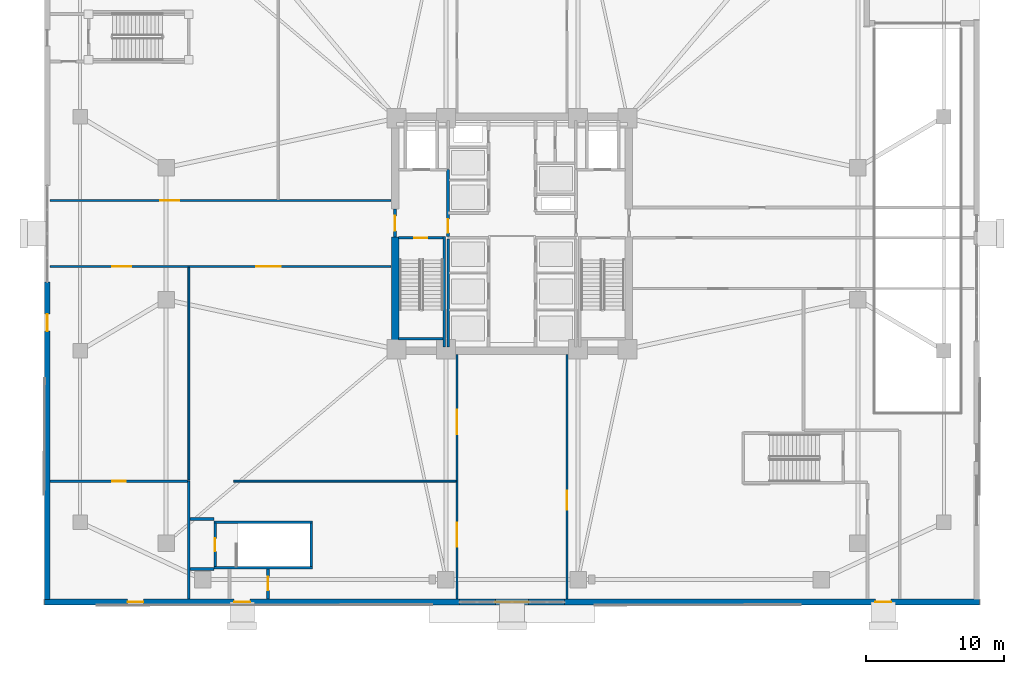
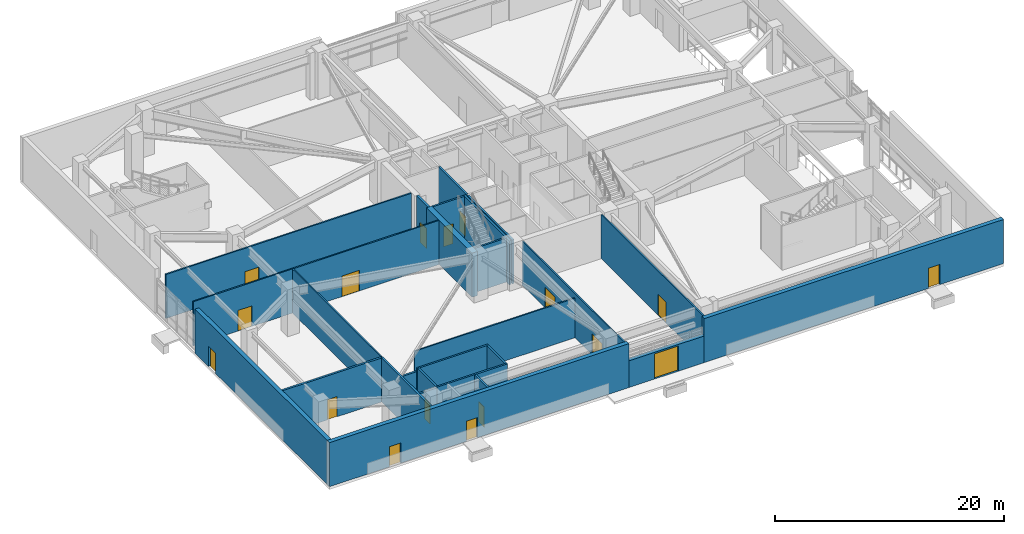
# One storey, part 9 of 21: 26 walls, 17 doors, 17 openings.
"""IFC4 building model written with IfcOpenShell, lengths in metres."""

from ifc_helpers import new_model, si_unit, direction, frame, frame_2d, origin, place, context, subcontext, project, spatial, rectangle, extrude, material, layer, layer_set, type_object, element, fill, save


model = new_model("IFC4")

# Units and contexts
model_context = context("Model", 3, precision=1e-05, world=origin(), true_north=direction((0.0, 1.0)))
body_context = subcontext(model_context, "Body", "Model", "MODEL_VIEW")
ifc_project = project(units=[si_unit("LENGTHUNIT", "METRE"), si_unit("AREAUNIT", "SQUARE_METRE"), si_unit("VOLUMEUNIT", "CUBIC_METRE"), si_unit("PLANEANGLEUNIT", "RADIAN"), si_unit("MASSUNIT", "GRAM", prefix="KILO")], contexts=[model_context])

# Site, building, storey
site_placement = place(None, origin())
site = spatial("IfcSite", under=ifc_project, at=site_placement, CompositionType="ELEMENT")
building_placement = place(site_placement, origin())
building = spatial("IfcBuilding", under=site, at=building_placement, Name="Cairnveth Concourse Tower", CompositionType="ELEMENT")
storey_placement = place(building_placement, origin())
storey = spatial("IfcBuildingStorey", under=building, at=storey_placement, Name="L00", CompositionType="ELEMENT", Elevation=0.0)

# Walls
ifc_material_1 = material(Name="Concrete N80 (80 MPa)", Category="concrete")
ifc_layer_1 = layer(ifc_material_1, 0.550048828125)
ifc_layer_set_1 = layer_set([ifc_layer_1], Name="Concrete N80 (80 MPa)")
wall_type_1 = type_object("IfcWallType", Name="CORE SHEAR WALL 550", PredefinedType="SHEAR", material=ifc_layer_set_1)
wall_1_placement = place(storey_placement, frame((43.5, 30.764892578125, 0.0), z_axis=(0.0, 0.0, 1.0), x_axis=(0.0, 1.0, 0.0)))
element("IfcWall", 1, at=wall_1_placement, inside=storey, type_object=wall_type_1, Name="Core West Shear Wall S L00", PredefinedType="SHEAR", context=body_context, shape_type="SweptSolid", body=[
    extrude(rectangle(XDim=7.985107421875, YDim=0.550048828125, at=frame_2d((3.99267578125, 0.0))), origin(), (0.0, 0.0, 1.0), 4.699951171875),
])
ifc_material_2 = material(Name="Concrete N50 (50 MPa)", Category="concrete")
ifc_layer_2 = layer(ifc_material_2, 0.179931640625)
ifc_layer_set_2 = layer_set([ifc_layer_2], Name="Concrete N50 (50 MPa)")
wall_type_2 = type_object("IfcWallType", Name="FIRE SHAFT WALL 180", PredefinedType="SOLIDWALL", material=ifc_layer_set_2)
wall_2_placement = place(storey_placement, frame((47.35009765625, 30.760009765625, 0.0), z_axis=(0.0, 0.0, 1.0), x_axis=(0.0, 1.0, 0.0)))
element("IfcWall", 2, at=wall_2_placement, inside=storey, type_object=wall_type_2, Name="Interior Wall IW-L00-025", PredefinedType="SOLIDWALL", context=body_context, shape_type="SweptSolid", body=[
    extrude(rectangle(XDim=7.85498046875, YDim=0.179931640625, at=frame_2d((3.927490234375, 0.0))), origin(), (0.0, 0.0, 1.0), 4.699951171875),
])

# Wall, opening, door
wall_3_placement = place(storey_placement, frame((43.764892578125, 38.68994140625, 0.0), z_axis=(0.0, 0.0, 1.0), x_axis=(1.0, 0.0, 0.0)))
wall_3 = element("IfcWall", 3, at=wall_3_placement, inside=storey, type_object=wall_type_2, Name="Stair ST-1 Shaft Wall NEAR L00", PredefinedType="SOLIDWALL", context=body_context, shape_type="SweptSolid", body=[
    extrude(rectangle(XDim=3.230224609375, YDim=0.179931640625, at=frame_2d((1.615234375, 0.0))), origin(), (0.0, 0.0, 1.0), 4.699951171875),
])
opening_1_placement = place(wall_3_placement, frame((1.139892578125, 0.0, 0.0)))
opening_1 = element("IfcOpeningElement", 4, at=opening_1_placement, cuts=wall_3, Name="Opening ID12", PredefinedType="OPENING", context=body_context, shape_type="SweptSolid", body=[
    extrude(rectangle(XDim=0.949951171875, YDim=2.14990234375, at=frame_2d((0.47509765625, 1.074951171875))), frame((0.0, 0.099853515625, 0.0), z_axis=(0.0, -1.0, 0.0), x_axis=(1.0, 0.0, 0.0)), (0.0, 0.0, 1.0), 0.199951171875),
])
ifc_material_3 = material(Name="Steel Grade 350", Category="steel")
door_type_1 = type_object("IfcDoorType", Name="FIRE STAIR DOOR 950X2150", OperationType="NOTDEFINED", PredefinedType="DOOR", material=ifc_material_3)
door_1_placement = place(opening_1_placement, origin())
door_1 = element("IfcDoor", 5, at=door_1_placement, inside=storey, type_object=door_type_1, Name="Stair ST-1 Fire Door L00", OperationType="SINGLE_SWING_LEFT", OverallHeight=2.14990234375, OverallWidth=0.949951171875, PredefinedType="DOOR", context=body_context, shape_type="SweptSolid", body=[
    extrude(rectangle(XDim=0.949951171875, YDim=2.14990234375, at=frame_2d((0.47509765625, 1.074951171875))), frame((0.0, 0.02490234375, 0.0), z_axis=(0.0, -1.0, 0.0), x_axis=(1.0, 0.0, 0.0)), (0.0, 0.0, 1.0), 0.050048828125),
])
fill(opening_1, door_1)

# Walls
wall_4_placement = place(storey_placement, frame((43.764892578125, 31.360107421875, 0.0), z_axis=(0.0, 0.0, 1.0), x_axis=(1.0, 0.0, 0.0)))
element("IfcWall", 6, at=wall_4_placement, inside=storey, type_object=wall_type_2, Name="Stair ST-1 Shaft Wall FAR L00", PredefinedType="SOLIDWALL", context=body_context, shape_type="SweptSolid", body=[
    extrude(rectangle(XDim=3.230224609375, YDim=0.179931640625, at=frame_2d((1.615234375, 0.0))), origin(), (0.0, 0.0, 1.0), 4.699951171875),
])
wall_5_placement = place(storey_placement, frame((47.070068359375, 38.780029296875, 0.0), z_axis=(0.0, 0.0, 1.0), x_axis=(0.0, -1.0, 0.0)))
element("IfcWall", 7, at=wall_5_placement, inside=storey, type_object=wall_type_2, Name="Stair ST-1 Shaft Wall RGHT L00", PredefinedType="SOLIDWALL", context=body_context, shape_type="SweptSolid", body=[
    extrude(rectangle(XDim=8.01708984375, YDim=0.179931640625, at=frame_2d((4.008544921875, 0.0))), origin(), (0.0, 0.0, 1.0), 4.699951171875),
])

# Wall, opening, door
wall_6_placement = place(storey_placement, frame((30.409912109375, 14.784912109375, 0.0), z_axis=(0.0, 0.0, 1.0), x_axis=(0.0, 1.0, 0.0)))
wall_6 = element("IfcWall", 8, at=wall_6_placement, inside=storey, type_object=wall_type_2, Name="Stair ST-B1 Shaft Wall NEAR L00", PredefinedType="SOLIDWALL", context=body_context, shape_type="SweptSolid", body=[
    extrude(rectangle(XDim=3.170166015625, YDim=0.179931640625, at=frame_2d((1.5849609375, 0.0))), origin(), (0.0, 0.0, 1.0), 4.699951171875),
])
opening_2_placement = place(wall_6_placement, frame((1.110107421875, 0.0, 0.0)))
opening_2 = element("IfcOpeningElement", 9, at=opening_2_placement, cuts=wall_6, Name="Opening ID12", PredefinedType="OPENING", context=body_context, shape_type="SweptSolid", body=[
    extrude(rectangle(XDim=0.949951171875, YDim=2.14990234375, at=frame_2d((0.47509765625, 1.074951171875))), frame((0.0, 0.099853515625, 0.0), z_axis=(0.0, -1.0, 0.0), x_axis=(1.0, 0.0, 0.0)), (0.0, 0.0, 1.0), 0.199951171875),
])
door_2_placement = place(opening_2_placement, origin())
door_2 = element("IfcDoor", 10, at=door_2_placement, inside=storey, type_object=door_type_1, Name="Stair ST-B1 Fire Door L00", OperationType="SINGLE_SWING_RIGHT", OverallHeight=2.14990234375, OverallWidth=0.949951171875, PredefinedType="DOOR", context=body_context, shape_type="SweptSolid", body=[
    extrude(rectangle(XDim=0.949951171875, YDim=2.14990234375, at=frame_2d((0.47509765625, 1.074951171875))), frame((0.0, 0.02490234375, 0.0), z_axis=(0.0, -1.0, 0.0), x_axis=(1.0, 0.0, 0.0)), (0.0, 0.0, 1.0), 0.050048828125),
])
fill(opening_2, door_2)

# Walls
wall_7_placement = place(storey_placement, frame((37.389892578125, 14.784912109375, 0.0), z_axis=(0.0, 0.0, 1.0), x_axis=(0.0, 1.0, 0.0)))
element("IfcWall", 11, at=wall_7_placement, inside=storey, type_object=wall_type_2, Name="Stair ST-B1 Shaft Wall FAR L00", PredefinedType="SOLIDWALL", context=body_context, shape_type="SweptSolid", body=[
    extrude(rectangle(XDim=3.170166015625, YDim=0.179931640625, at=frame_2d((1.5849609375, 0.0))), origin(), (0.0, 0.0, 1.0), 4.699951171875),
])
for number, where, z_axis, x_axis, name in (
    (12, (30.320068359375, 14.7099609375, 0.0), (0.0, 0.0, 1.0), (1.0, 0.0, 0.0), "Stair ST-B1 Shaft Wall LEFT L00"),
    (13, (30.320068359375, 18.030029296875, 0.0), (0.0, 0.0, 1.0), (1.0, 0.0, 0.0), "Stair ST-B1 Shaft Wall RGHT L00"),
):
    element("IfcWall", number, at=place(storey_placement, frame(where, z_axis=z_axis, x_axis=x_axis)), inside=storey, type_object=wall_type_2, Name=name, PredefinedType="SOLIDWALL", context=body_context, shape_type="SweptSolid", body=[
        extrude(rectangle(XDim=7.159912109375, YDim=0.179931640625, at=frame_2d((3.580078125, 0.0))), origin(), (0.0, 0.0, 1.0), 4.699951171875),
    ])

# Wall, opening, door
ifc_layer_3 = layer(ifc_material_2, 0.199951171875)
ifc_layer_set_3 = layer_set([ifc_layer_3], Name="Concrete N50 (50 MPa)")
wall_type_3 = type_object("IfcWallType", Name="FIRE SHAFT WALL 200", PredefinedType="SOLIDWALL", material=ifc_layer_set_3)
wall_8_placement = place(storey_placement, frame((43.5, 38.75, 0.0), z_axis=(0.0, 0.0, 1.0), x_axis=(0.0, 1.0, 0.0)))
wall_8 = element("IfcWall", 14, at=wall_8_placement, inside=storey, type_object=wall_type_3, Name="Interior Wall IW-L00-015", PredefinedType="SOLIDWALL", context=body_context, shape_type="SweptSolid", body=[
    extrude(rectangle(XDim=2.050048828125, YDim=0.199951171875, at=frame_2d((1.02490234375, 0.0))), origin(), (0.0, 0.0, 1.0), 4.699951171875),
])
opening_3_placement = place(wall_8_placement, frame((0.449951171875, 0.0, 0.0)))
opening_3 = element("IfcOpeningElement", 15, at=opening_3_placement, cuts=wall_8, Name="Opening ID06", PredefinedType="OPENING", context=body_context, shape_type="SweptSolid", body=[
    extrude(rectangle(XDim=1.10009765625, YDim=2.14990234375, at=frame_2d((0.550048828125, 1.074951171875))), frame((0.0, 0.10986328125, 0.0), z_axis=(0.0, -1.0, 0.0), x_axis=(1.0, 0.0, 0.0)), (0.0, 0.0, 1.0), 0.219970703125),
])
door_type_2 = type_object("IfcDoorType", Name="FIRE CORRIDOR DOOR 1100X2150", OperationType="NOTDEFINED", PredefinedType="DOOR", material=ifc_material_3)
door_3_placement = place(opening_3_placement, origin())
door_3 = element("IfcDoor", 16, at=door_3_placement, inside=storey, type_object=door_type_2, Name="West Wing to FF Lobby Door L00", OperationType="SINGLE_SWING_LEFT", OverallHeight=2.14990234375, OverallWidth=1.10009765625, PredefinedType="DOOR", context=body_context, shape_type="SweptSolid", body=[
    extrude(rectangle(XDim=1.10009765625, YDim=2.14990234375, at=frame_2d((0.550048828125, 1.074951171875))), frame((0.0, 0.02490234375, 0.0), z_axis=(0.0, -1.0, 0.0), x_axis=(1.0, 0.0, 0.0)), (0.0, 0.0, 1.0), 0.050048828125),
])
fill(opening_3, door_3)

wall_9_placement = place(storey_placement, frame((47.35009765625, 38.784912109375, 0.0), z_axis=(0.0, 0.0, 1.0), x_axis=(0.0, 1.0, 0.0)))
wall_9 = element("IfcWall", 17, at=wall_9_placement, inside=storey, type_object=wall_type_3, Name="Interior Wall IW-L00-016", PredefinedType="SOLIDWALL", context=body_context, shape_type="SweptSolid", body=[
    extrude(rectangle(XDim=4.864990234375, YDim=0.199951171875, at=frame_2d((2.4326171875, 0.0))), origin(), (0.0, 0.0, 1.0), 4.699951171875),
])
opening_4_placement = place(wall_9_placement, frame((0.264892578125, 0.0, 0.0)))
opening_4 = element("IfcOpeningElement", 18, at=opening_4_placement, cuts=wall_9, Name="Opening ID07", PredefinedType="OPENING", context=body_context, shape_type="SweptSolid", body=[
    extrude(rectangle(XDim=1.0, YDim=2.14990234375, at=frame_2d((0.5, 1.074951171875))), frame((0.0, 0.10986328125, 0.0), z_axis=(0.0, -1.0, 0.0), x_axis=(1.0, 0.0, 0.0)), (0.0, 0.0, 1.0), 0.219970703125),
])
door_type_3 = type_object("IfcDoorType", Name="FIRE CORRIDOR DOOR 1000X2150", OperationType="NOTDEFINED", PredefinedType="DOOR", material=ifc_material_3)
door_4_placement = place(opening_4_placement, origin())
door_4 = element("IfcDoor", 19, at=door_4_placement, inside=storey, type_object=door_type_3, Name="FF Lobby West to Lift Lobby Door L00", OperationType="SINGLE_SWING_RIGHT", OverallHeight=2.14990234375, OverallWidth=1.0, PredefinedType="DOOR", context=body_context, shape_type="SweptSolid", body=[
    extrude(rectangle(XDim=1.0, YDim=2.14990234375, at=frame_2d((0.5, 1.074951171875))), frame((0.0, 0.02490234375, 0.0), z_axis=(0.0, -1.0, 0.0), x_axis=(1.0, 0.0, 0.0)), (0.0, 0.0, 1.0), 0.050048828125),
])
fill(opening_4, door_4)

# Wall
wall_10_placement = place(storey_placement, frame((28.5, 12.419921875, 0.0), z_axis=(0.0, 0.0, 1.0), x_axis=(0.0, 1.0, 0.0)))
element("IfcWall", 20, at=wall_10_placement, inside=storey, type_object=wall_type_3, Name="Interior Wall IW-L00-047", PredefinedType="SOLIDWALL", context=body_context, shape_type="SweptSolid", body=[
    extrude(rectangle(XDim=8.580078125, YDim=0.199951171875, at=frame_2d((4.2900390625, 0.0))), origin(), (0.0, 0.0, 1.0), 4.699951171875),
])

# Wall, opening, door
wall_11_placement = place(storey_placement, frame((18.419921875, 21.0, 0.0), z_axis=(0.0, 0.0, 1.0), x_axis=(1.0, 0.0, 0.0)))
wall_11 = element("IfcWall", 21, at=wall_11_placement, inside=storey, type_object=wall_type_3, Name="Interior Wall IW-L00-048", PredefinedType="SOLIDWALL", context=body_context, shape_type="SweptSolid", body=[
    extrude(rectangle(XDim=9.9951171875, YDim=0.199951171875, at=frame_2d((4.99755859375, 0.0))), origin(), (0.0, 0.0, 1.0), 4.699951171875),
])
opening_5_placement = place(wall_11_placement, frame((4.5, 0.0, 0.0)))
opening_5 = element("IfcOpeningElement", 22, at=opening_5_placement, cuts=wall_11, Name="Opening ID07", PredefinedType="OPENING", context=body_context, shape_type="SweptSolid", body=[
    extrude(rectangle(XDim=1.0, YDim=2.14990234375, at=frame_2d((0.5, 1.074951171875))), frame((0.0, 0.10986328125, 0.0), z_axis=(0.0, -1.0, 0.0), x_axis=(1.0, 0.0, 0.0)), (0.0, 0.0, 1.0), 0.219970703125),
])
door_5_placement = place(opening_5_placement, origin())
door_5 = element("IfcDoor", 23, at=door_5_placement, inside=storey, type_object=door_type_3, Name="FCC Internal Access Door", OperationType="SINGLE_SWING_LEFT", OverallHeight=2.14990234375, OverallWidth=1.0, PredefinedType="DOOR", context=body_context, shape_type="SweptSolid", body=[
    extrude(rectangle(XDim=1.0, YDim=2.14990234375, at=frame_2d((0.5, 1.074951171875))), frame((0.0, 0.02490234375, 0.0), z_axis=(0.0, -1.0, 0.0), x_axis=(1.0, 0.0, 0.0)), (0.0, 0.0, 1.0), 0.050048828125),
])
fill(opening_5, door_5)

# Wall
wall_12_placement = place(storey_placement, frame((28.5849609375, 14.6201171875, 0.0), z_axis=(0.0, 0.0, 1.0), x_axis=(1.0, 0.0, 0.0)))
element("IfcWall", 24, at=wall_12_placement, inside=storey, type_object=wall_type_3, Name="Stair ST-B1 Exit Passage Step Wall L00", PredefinedType="SOLIDWALL", context=body_context, shape_type="SweptSolid", body=[
    extrude(rectangle(XDim=1.735107421875, YDim=0.199951171875, at=frame_2d((0.86767578125, 0.0))), origin(), (0.0, 0.0, 1.0), 4.699951171875),
])

# Wall, opening, door
wall_13_placement = place(storey_placement, frame((34.25, 12.419921875, 0.0), z_axis=(0.0, 0.0, 1.0), x_axis=(0.0, 1.0, 0.0)))
wall_13 = element("IfcWall", 25, at=wall_13_placement, inside=storey, type_object=wall_type_3, Name="Stair ST-B1 Exit Passage East Wall L00", PredefinedType="SOLIDWALL", context=body_context, shape_type="SweptSolid", body=[
    extrude(rectangle(XDim=2.2001953125, YDim=0.199951171875, at=frame_2d((1.10009765625, 0.0))), origin(), (0.0, 0.0, 1.0), 4.699951171875),
])
opening_6_placement = place(wall_13_placement, frame((0.64990234375, 0.0, 0.0)))
opening_6 = element("IfcOpeningElement", 26, at=opening_6_placement, cuts=wall_13, Name="Opening ID07", PredefinedType="OPENING", context=body_context, shape_type="SweptSolid", body=[
    extrude(rectangle(XDim=1.0, YDim=2.14990234375, at=frame_2d((0.5, 1.074951171875))), frame((0.0, 0.10986328125, 0.0), z_axis=(0.0, -1.0, 0.0), x_axis=(1.0, 0.0, 0.0)), (0.0, 0.0, 1.0), 0.219970703125),
])
door_6_placement = place(opening_6_placement, origin())
door_6 = element("IfcDoor", 27, at=door_6_placement, inside=storey, type_object=door_type_3, Name="Hotel Hall to Stair ST-B1 Exit Passage Door", OperationType="SINGLE_SWING_RIGHT", OverallHeight=2.14990234375, OverallWidth=1.0, PredefinedType="DOOR", context=body_context, shape_type="SweptSolid", body=[
    extrude(rectangle(XDim=1.0, YDim=2.14990234375, at=frame_2d((0.5, 1.074951171875))), frame((0.0, 0.02490234375, 0.0), z_axis=(0.0, -1.0, 0.0), x_axis=(1.0, 0.0, 0.0)), (0.0, 0.0, 1.0), 0.050048828125),
])
fill(opening_6, door_6)

# Wall
wall_14_placement = place(storey_placement, frame((28.5849609375, 18.25, 0.0), z_axis=(0.0, 0.0, 1.0), x_axis=(1.0, 0.0, 0.0)))
element("IfcWall", 28, at=wall_14_placement, inside=storey, type_object=wall_type_3, Name="Stair ST-B1 Exit Passage North Wall L00", PredefinedType="SOLIDWALL", context=body_context, shape_type="SweptSolid", body=[
    extrude(rectangle(XDim=1.735107421875, YDim=0.199951171875, at=frame_2d((0.86767578125, 0.0))), origin(), (0.0, 0.0, 1.0), 4.218017578125),
])

# Wall, openings, doors
ifc_material_4 = material(Name="Gypsum Plasterboard Partition", Category="gypsum")
ifc_layer_4 = layer(ifc_material_4, 0.139892578125)
ifc_layer_set_4 = layer_set([ifc_layer_4], Name="Gypsum Plasterboard Partition")
wall_type_4 = type_object("IfcWallType", Name="GYPSUM STUD PARTITION 140", PredefinedType="PARTITIONING", material=ifc_layer_set_4)
wall_15_placement = place(storey_placement, frame((48.0, 12.419921875, 0.0), z_axis=(0.0, 0.0, 1.0), x_axis=(0.0, 1.0, 0.0)))
wall_15 = element("IfcWall", 29, at=wall_15_placement, inside=storey, type_object=wall_type_4, Name="Interior Wall IW-L00-040", PredefinedType="PARTITIONING", context=body_context, shape_type="SweptSolid", body=[
    extrude(rectangle(XDim=17.800048828125, YDim=0.139892578125, at=frame_2d((8.89990234375, 0.0))), origin(), (0.0, 0.0, 1.0), 4.699951171875),
])
opening_7_placement = place(wall_15_placement, frame((3.800048828125, 0.0, 0.0)))
opening_7 = element("IfcOpeningElement", 30, at=opening_7_placement, cuts=wall_15, Name="Opening ID27", PredefinedType="OPENING", context=body_context, shape_type="SweptSolid", body=[
    extrude(rectangle(XDim=1.760009765625, YDim=2.199951171875, at=frame_2d((0.8798828125, 1.10009765625))), frame((0.0, 0.079833984375, 0.0), z_axis=(0.0, -1.0, 0.0), x_axis=(1.0, 0.0, 0.0)), (0.0, 0.0, 1.0), 0.159912109375),
])
opening_8_placement = place(wall_15_placement, frame((12.0, 0.0, 0.0)))
opening_8 = element("IfcOpeningElement", 31, at=opening_8_placement, cuts=wall_15, Name="Opening ID27", PredefinedType="OPENING", context=body_context, shape_type="SweptSolid", body=[
    extrude(rectangle(XDim=1.760009765625, YDim=2.199951171875, at=frame_2d((0.8798828125, 1.10009765625))), frame((0.0, 0.079833984375, 0.0), z_axis=(0.0, -1.0, 0.0), x_axis=(1.0, 0.0, 0.0)), (0.0, 0.0, 1.0), 0.159912109375),
])
ifc_material_5 = material(Name="Solid Core Hardwood Timber Leaf", Category="wood")
door_type_4 = type_object("IfcDoorType", Name="CONCOURSE DOUBLE DOOR 1760X2200", OperationType="DOUBLE_DOOR_SINGLE_SWING", PredefinedType="DOOR", material=ifc_material_5)
door_7_placement = place(opening_7_placement, origin())
door_7 = element("IfcDoor", 32, at=door_7_placement, inside=storey, type_object=door_type_4, Name="Interior Door DR-L00-023", OperationType="DOUBLE_DOOR_SINGLE_SWING", OverallHeight=2.199951171875, OverallWidth=1.760009765625, PredefinedType="DOOR", context=body_context, shape_type="SweptSolid", body=[
    extrude(rectangle(XDim=1.760009765625, YDim=2.199951171875, at=frame_2d((0.8798828125, 1.10009765625))), frame((0.0, 0.02490234375, 0.0), z_axis=(0.0, -1.0, 0.0), x_axis=(1.0, 0.0, 0.0)), (0.0, 0.0, 1.0), 0.050048828125),
])
fill(opening_7, door_7)
door_8_placement = place(opening_8_placement, origin())
door_8 = element("IfcDoor", 33, at=door_8_placement, inside=storey, type_object=door_type_4, Name="Interior Door DR-L00-024", OperationType="DOUBLE_DOOR_SINGLE_SWING", OverallHeight=2.199951171875, OverallWidth=1.760009765625, PredefinedType="DOOR", context=body_context, shape_type="SweptSolid", body=[
    extrude(rectangle(XDim=1.760009765625, YDim=2.199951171875, at=frame_2d((0.8798828125, 1.10009765625))), frame((0.0, 0.02490234375, 0.0), z_axis=(0.0, -1.0, 0.0), x_axis=(1.0, 0.0, 0.0)), (0.0, 0.0, 1.0), 0.050048828125),
])
fill(opening_8, door_8)

# Wall, opening, door
wall_16_placement = place(storey_placement, frame((56.0, 12.419921875, 0.0), z_axis=(0.0, 0.0, 1.0), x_axis=(0.0, 1.0, 0.0)))
wall_16 = element("IfcWall", 34, at=wall_16_placement, inside=storey, type_object=wall_type_4, Name="Interior Wall IW-L00-041", PredefinedType="PARTITIONING", context=body_context, shape_type="SweptSolid", body=[
    extrude(rectangle(XDim=17.800048828125, YDim=0.139892578125, at=frame_2d((8.89990234375, 0.0))), origin(), (0.0, 0.0, 1.0), 4.699951171875),
])
opening_9_placement = place(wall_16_placement, frame((6.5, 0.0, 0.0)))
opening_9 = element("IfcOpeningElement", 35, at=opening_9_placement, cuts=wall_16, Name="Opening ID03", PredefinedType="OPENING", context=body_context, shape_type="SweptSolid", body=[
    extrude(rectangle(XDim=1.39990234375, YDim=2.199951171875, at=frame_2d((0.699951171875, 1.10009765625))), frame((0.0, 0.079833984375, 0.0), z_axis=(0.0, -1.0, 0.0), x_axis=(1.0, 0.0, 0.0)), (0.0, 0.0, 1.0), 0.159912109375),
])
ifc_material_6 = material(Name="Architectural Bronze Anodised Aluminium 6063-T6", Category="aluminium")
door_type_5 = type_object("IfcDoorType", Name="RETAIL GLAZED DOOR 1400X2200", OperationType="DOUBLE_DOOR_SINGLE_SWING", PredefinedType="DOOR", material=ifc_material_6)
door_9_placement = place(opening_9_placement, origin())
door_9 = element("IfcDoor", 36, at=door_9_placement, inside=storey, type_object=door_type_5, Name="Interior Door DR-L00-034", OperationType="SINGLE_SWING_RIGHT", OverallHeight=2.199951171875, OverallWidth=1.39990234375, PredefinedType="DOOR", context=body_context, shape_type="SweptSolid", body=[
    extrude(rectangle(XDim=1.39990234375, YDim=2.199951171875, at=frame_2d((0.699951171875, 1.10009765625))), frame((0.0, 0.02490234375, 0.0), z_axis=(0.0, -1.0, 0.0), x_axis=(1.0, 0.0, 0.0)), (0.0, 0.0, 1.0), 0.050048828125),
])
fill(opening_9, door_9)

# Wall, openings, doors
wall_17_placement = place(storey_placement, frame((18.419921875, 36.60009765625, 0.0), z_axis=(0.0, 0.0, 1.0), x_axis=(1.0, 0.0, 0.0)))
wall_17 = element("IfcWall", 37, at=wall_17_placement, inside=storey, type_object=wall_type_4, Name="Interior Wall IW-L00-042", PredefinedType="PARTITIONING", context=body_context, shape_type="SweptSolid", body=[
    extrude(rectangle(XDim=24.800048828125, YDim=0.139892578125, at=frame_2d((12.39990234375, 0.0))), origin(), (0.0, 0.0, 1.0), 4.699951171875),
])
opening_10_placement = place(wall_17_placement, frame((4.5, 0.0, 0.0)))
opening_10 = element("IfcOpeningElement", 38, at=opening_10_placement, cuts=wall_17, Name="Opening ID03", PredefinedType="OPENING", context=body_context, shape_type="SweptSolid", body=[
    extrude(rectangle(XDim=1.39990234375, YDim=2.199951171875, at=frame_2d((0.699951171875, 1.10009765625))), frame((0.0, 0.079833984375, 0.0), z_axis=(0.0, -1.0, 0.0), x_axis=(1.0, 0.0, 0.0)), (0.0, 0.0, 1.0), 0.159912109375),
])
opening_11_placement = place(wall_17_placement, frame((15.0, 0.0, 0.0)))
opening_11 = element("IfcOpeningElement", 39, at=opening_11_placement, cuts=wall_17, Name="Opening ID27", PredefinedType="OPENING", context=body_context, shape_type="SweptSolid", body=[
    extrude(rectangle(XDim=1.760009765625, YDim=2.199951171875, at=frame_2d((0.8798828125, 1.10009765625))), frame((0.0, 0.079833984375, 0.0), z_axis=(0.0, -1.0, 0.0), x_axis=(1.0, 0.0, 0.0)), (0.0, 0.0, 1.0), 0.159912109375),
])
door_10_placement = place(opening_11_placement, origin())
door_10 = element("IfcDoor", 40, at=door_10_placement, inside=storey, type_object=door_type_4, Name="Interior Door DR-L00-026", OperationType="DOUBLE_DOOR_SINGLE_SWING", OverallHeight=2.199951171875, OverallWidth=1.760009765625, PredefinedType="DOOR", context=body_context, shape_type="SweptSolid", body=[
    extrude(rectangle(XDim=1.760009765625, YDim=2.199951171875, at=frame_2d((0.8798828125, 1.10009765625))), frame((0.0, 0.02490234375, 0.0), z_axis=(0.0, -1.0, 0.0), x_axis=(1.0, 0.0, 0.0)), (0.0, 0.0, 1.0), 0.050048828125),
])
fill(opening_11, door_10)
door_11_placement = place(opening_10_placement, origin())
door_11 = element("IfcDoor", 41, at=door_11_placement, inside=storey, type_object=door_type_5, Name="Interior Door DR-L00-025", OperationType="SINGLE_SWING_LEFT", OverallHeight=2.199951171875, OverallWidth=1.39990234375, PredefinedType="DOOR", context=body_context, shape_type="SweptSolid", body=[
    extrude(rectangle(XDim=1.39990234375, YDim=2.199951171875, at=frame_2d((0.699951171875, 1.10009765625))), frame((0.0, 0.02490234375, 0.0), z_axis=(0.0, -1.0, 0.0), x_axis=(1.0, 0.0, 0.0)), (0.0, 0.0, 1.0), 0.050048828125),
])
fill(opening_10, door_11)

# Wall, opening, door
wall_18_placement = place(storey_placement, frame((18.419921875, 41.39990234375, 0.0), z_axis=(0.0, 0.0, 1.0), x_axis=(1.0, 0.0, 0.0)))
wall_18 = element("IfcWall", 42, at=wall_18_placement, inside=storey, type_object=wall_type_4, Name="Interior Wall IW-L00-043", PredefinedType="PARTITIONING", context=body_context, shape_type="SweptSolid", body=[
    extrude(rectangle(XDim=24.800048828125, YDim=0.139892578125, at=frame_2d((12.39990234375, 0.0))), origin(), (0.0, 0.0, 1.0), 4.699951171875),
])
opening_12_placement = place(wall_18_placement, frame((8.0, 0.0, 0.0)))
opening_12 = element("IfcOpeningElement", 43, at=opening_12_placement, cuts=wall_18, Name="Opening ID03", PredefinedType="OPENING", context=body_context, shape_type="SweptSolid", body=[
    extrude(rectangle(XDim=1.39990234375, YDim=2.199951171875, at=frame_2d((0.699951171875, 1.10009765625))), frame((0.0, 0.079833984375, 0.0), z_axis=(0.0, -1.0, 0.0), x_axis=(1.0, 0.0, 0.0)), (0.0, 0.0, 1.0), 0.159912109375),
])
door_12_placement = place(opening_12_placement, origin())
door_12 = element("IfcDoor", 44, at=door_12_placement, inside=storey, type_object=door_type_5, Name="Interior Door DR-L00-028", OperationType="SINGLE_SWING_RIGHT", OverallHeight=2.199951171875, OverallWidth=1.39990234375, PredefinedType="DOOR", context=body_context, shape_type="SweptSolid", body=[
    extrude(rectangle(XDim=1.39990234375, YDim=2.199951171875, at=frame_2d((0.699951171875, 1.10009765625))), frame((0.0, 0.02490234375, 0.0), z_axis=(0.0, -1.0, 0.0), x_axis=(1.0, 0.0, 0.0)), (0.0, 0.0, 1.0), 0.050048828125),
])
fill(opening_12, door_12)

# Walls
wall_19_placement = place(storey_placement, frame((28.5, 21.0849609375, 0.0), z_axis=(0.0, 0.0, 1.0), x_axis=(0.0, 1.0, 0.0)))
element("IfcWall", 45, at=wall_19_placement, inside=storey, type_object=wall_type_4, Name="Interior Wall IW-L00-053", PredefinedType="PARTITIONING", context=body_context, shape_type="SweptSolid", body=[
    extrude(rectangle(XDim=15.4599609375, YDim=0.139892578125, at=frame_2d((7.72998046875, 0.0))), origin(), (0.0, 0.0, 1.0), 4.699951171875),
])
wall_20_placement = place(storey_placement, frame((31.75, 21.0, 0.0), z_axis=(0.0, 0.0, 1.0), x_axis=(1.0, 0.0, 0.0)))
element("IfcWall", 46, at=wall_20_placement, inside=storey, type_object=wall_type_4, Name="Interior Wall IW-L00-054", PredefinedType="PARTITIONING", context=body_context, shape_type="SweptSolid", body=[
    extrude(rectangle(XDim=16.195068359375, YDim=0.139892578125, at=frame_2d((8.09765625, 0.0))), origin(), (0.0, 0.0, 1.0), 4.218017578125),
])

# Wall, opening, door
ifc_material_7 = material(Name="Hawthorn Red-Ochre Fired Clay Brick Masonry", Category="masonry")
ifc_layer_5 = layer(ifc_material_7, 0.419921875)
ifc_layer_set_5 = layer_set([ifc_layer_5], Name="Hawthorn Red-Ochre Fired Clay Brick Masonry")
wall_type_5 = type_object("IfcWallType", Name="PODIUM HAWTHORN BRICK WALL 420", PredefinedType="SOLIDWALL", material=ifc_layer_set_5)
wall_21_placement = place(storey_placement, frame((86.0, 12.2099609375, 0.0), z_axis=(0.0, 0.0, 1.0), x_axis=(-1.0, 0.0, 0.0)))
wall_21 = element("IfcWall", 47, at=wall_21_placement, inside=storey, type_object=wall_type_5, Name="Exterior Wall EW-L00-SE", PredefinedType="SOLIDWALL", context=body_context, shape_type="SweptSolid", body=[
    extrude(rectangle(XDim=30.199951171875, YDim=0.419921875, at=frame_2d((15.10009765625, 0.0))), origin(), (0.0, 0.0, 1.0), 4.699951171875),
])
opening_13_placement = place(wall_21_placement, frame((6.425048828125, 0.0, 0.0)))
opening_13 = element("IfcOpeningElement", 48, at=opening_13_placement, cuts=wall_21, Name="Opening ED3", PredefinedType="OPENING", context=body_context, shape_type="SweptSolid", body=[
    extrude(rectangle(XDim=1.14990234375, YDim=2.14990234375, at=frame_2d((0.574951171875, 1.074951171875))), frame((0.0, 0.219970703125, 0.0), z_axis=(0.0, -1.0, 0.0), x_axis=(1.0, 0.0, 0.0)), (0.0, 0.0, 1.0), 0.43994140625),
])
door_type_6 = type_object("IfcDoorType", Name="FINAL EXIT DISCHARGE DOOR 1150X2150", OperationType="NOTDEFINED", PredefinedType="DOOR", material=ifc_material_6)
door_13_placement = place(opening_13_placement, origin())
door_13 = element("IfcDoor", 49, at=door_13_placement, inside=storey, type_object=door_type_6, Name="South-East Final Exit Discharge Door", OperationType="SINGLE_SWING_LEFT", OverallHeight=2.14990234375, OverallWidth=1.14990234375, PredefinedType="DOOR", context=body_context, shape_type="SweptSolid", body=[
    extrude(rectangle(XDim=1.14990234375, YDim=2.14990234375, at=frame_2d((0.574951171875, 1.074951171875))), frame((0.0, 0.02490234375, 0.0), z_axis=(0.0, -1.0, 0.0), x_axis=(1.0, 0.0, 0.0)), (0.0, 0.0, 1.0), 0.050048828125),
])
fill(opening_13, door_13)

wall_22_placement = place(storey_placement, frame((55.800048828125, 12.2099609375, 0.0), z_axis=(0.0, 0.0, 1.0), x_axis=(-1.0, 0.0, 0.0)))
wall_22 = element("IfcWall", 50, at=wall_22_placement, inside=storey, type_object=wall_type_5, Name="Exterior Wall EW-L00-SP", PredefinedType="SOLIDWALL", context=body_context, shape_type="SweptSolid", body=[
    extrude(rectangle(XDim=7.60009765625, YDim=0.419921875, at=frame_2d((3.800048828125, 0.0))), origin(), (0.0, 0.0, 1.0), 2.85009765625),
])
opening_14_placement = place(wall_22_placement, frame((2.60009765625, 0.0, 0.0)))
opening_14 = element("IfcOpeningElement", 51, at=opening_14_placement, cuts=wall_22, Name="Opening ED1", PredefinedType="OPENING", context=body_context, shape_type="SweptSolid", body=[
    extrude(rectangle(XDim=2.39990234375, YDim=2.699951171875, at=frame_2d((1.199951171875, 1.35009765625))), frame((0.0, 0.219970703125, 0.0), z_axis=(0.0, -1.0, 0.0), x_axis=(1.0, 0.0, 0.0)), (0.0, 0.0, 1.0), 0.43994140625),
])
door_type_7 = type_object("IfcDoorType", Name="CONCOURSE GRAND ENTRANCE DOUBLE DOOR 2400X2700", OperationType="DOUBLE_DOOR_SINGLE_SWING", PredefinedType="DOOR", material=ifc_material_6)
door_14_placement = place(opening_14_placement, origin())
door_14 = element("IfcDoor", 52, at=door_14_placement, inside=storey, type_object=door_type_7, Name="South Street Concourse Entrance Door", OperationType="SINGLE_SWING_LEFT", OverallHeight=2.699951171875, OverallWidth=2.39990234375, PredefinedType="DOOR", context=body_context, shape_type="SweptSolid", body=[
    extrude(rectangle(XDim=2.39990234375, YDim=2.699951171875, at=frame_2d((1.199951171875, 1.35009765625))), frame((0.0, 0.02490234375, 0.0), z_axis=(0.0, -1.0, 0.0), x_axis=(1.0, 0.0, 0.0)), (0.0, 0.0, 1.0), 0.050048828125),
])
fill(opening_14, door_14)

# Wall, openings, doors
wall_23_placement = place(storey_placement, frame((48.199951171875, 12.2099609375, 0.0), z_axis=(0.0, 0.0, 1.0), x_axis=(-1.0, 0.0, 0.0)))
wall_23 = element("IfcWall", 53, at=wall_23_placement, inside=storey, type_object=wall_type_5, Name="Exterior Wall EW-L00-SW", PredefinedType="SOLIDWALL", context=body_context, shape_type="SweptSolid", body=[
    extrude(rectangle(XDim=30.199951171875, YDim=0.419921875, at=frame_2d((15.10009765625, 0.0))), origin(), (0.0, 0.0, 1.0), 4.699951171875),
])
opening_15_placement = place(wall_23_placement, frame((23.0, 0.0, 0.0)))
opening_15 = element("IfcOpeningElement", 54, at=opening_15_placement, cuts=wall_23, Name="Opening ED3", PredefinedType="OPENING", context=body_context, shape_type="SweptSolid", body=[
    extrude(rectangle(XDim=1.14990234375, YDim=2.14990234375, at=frame_2d((0.574951171875, 1.074951171875))), frame((0.0, 0.219970703125, 0.0), z_axis=(0.0, -1.0, 0.0), x_axis=(1.0, 0.0, 0.0)), (0.0, 0.0, 1.0), 0.43994140625),
])
opening_16_placement = place(wall_23_placement, frame((15.25, 0.0, 0.0)))
opening_16 = element("IfcOpeningElement", 55, at=opening_16_placement, cuts=wall_23, Name="Opening ED3", PredefinedType="OPENING", context=body_context, shape_type="SweptSolid", body=[
    extrude(rectangle(XDim=1.14990234375, YDim=2.14990234375, at=frame_2d((0.574951171875, 1.074951171875))), frame((0.0, 0.219970703125, 0.0), z_axis=(0.0, -1.0, 0.0), x_axis=(1.0, 0.0, 0.0)), (0.0, 0.0, 1.0), 0.43994140625),
])
door_15_placement = place(opening_15_placement, origin())
door_15 = element("IfcDoor", 56, at=door_15_placement, inside=storey, type_object=door_type_6, Name="Fire Control Centre Street Exit Door", OperationType="SINGLE_SWING_LEFT", OverallHeight=2.14990234375, OverallWidth=1.14990234375, PredefinedType="DOOR", context=body_context, shape_type="SweptSolid", body=[
    extrude(rectangle(XDim=1.14990234375, YDim=2.14990234375, at=frame_2d((0.574951171875, 1.074951171875))), frame((0.0, 0.02490234375, 0.0), z_axis=(0.0, -1.0, 0.0), x_axis=(1.0, 0.0, 0.0)), (0.0, 0.0, 1.0), 0.050048828125),
])
fill(opening_15, door_15)
door_16_placement = place(opening_16_placement, origin())
door_16 = element("IfcDoor", 57, at=door_16_placement, inside=storey, type_object=door_type_6, Name="South-West Final Exit Discharge Door", OperationType="SINGLE_SWING_RIGHT", OverallHeight=2.14990234375, OverallWidth=1.14990234375, PredefinedType="DOOR", context=body_context, shape_type="SweptSolid", body=[
    extrude(rectangle(XDim=1.14990234375, YDim=2.14990234375, at=frame_2d((0.574951171875, 1.074951171875))), frame((0.0, 0.02490234375, 0.0), z_axis=(0.0, -1.0, 0.0), x_axis=(1.0, 0.0, 0.0)), (0.0, 0.0, 1.0), 0.050048828125),
])
fill(opening_16, door_16)

# Wall, opening, door
wall_24_placement = place(storey_placement, frame((18.2099609375, 12.405029296875, 0.0), z_axis=(0.0, 0.0, 1.0), x_axis=(0.0, 1.0, 0.0)))
wall_24 = element("IfcWall", 58, at=wall_24_placement, inside=storey, type_object=wall_type_5, Name="Exterior Wall EW-L00-W1", PredefinedType="SOLIDWALL", context=body_context, shape_type="SweptSolid", body=[
    extrude(rectangle(XDim=23.094970703125, YDim=0.419921875, at=frame_2d((11.54736328125, 0.0))), origin(), (0.0, 0.0, 1.0), 4.699951171875),
])
opening_17_placement = place(wall_24_placement, frame((19.5, 0.0, 0.0)))
opening_17 = element("IfcOpeningElement", 59, at=opening_17_placement, cuts=wall_24, Name="Opening SG-01", PredefinedType="OPENING", context=body_context, shape_type="SweptSolid", body=[
    extrude(rectangle(XDim=1.25, YDim=2.14990234375, at=frame_2d((0.625, 1.074951171875))), frame((0.0, 0.219970703125, 0.0), z_axis=(0.0, -1.0, 0.0), x_axis=(1.0, 0.0, 0.0)), (0.0, 0.0, 1.0), 0.43994140625),
])
door_type_8 = type_object("IfcDoorType", Name="APRON PEDESTRIAN SECURITY GATE 1250X2150", OperationType="NOTDEFINED", PredefinedType="GATE", material=ifc_material_6)
door_17_placement = place(opening_17_placement, origin())
door_17 = element("IfcDoor", 60, at=door_17_placement, inside=storey, type_object=door_type_8, Name="West Service Yard Gate SG-03", OperationType="SINGLE_SWING_RIGHT", OverallHeight=2.14990234375, OverallWidth=1.25, PredefinedType="GATE", context=body_context, shape_type="SweptSolid", body=[
    extrude(rectangle(XDim=1.25, YDim=2.14990234375, at=frame_2d((0.625, 1.074951171875))), frame((0.0, 0.02490234375, 0.0), z_axis=(0.0, -1.0, 0.0), x_axis=(1.0, 0.0, 0.0)), (0.0, 0.0, 1.0), 0.050048828125),
])
fill(opening_17, door_17)

save(model, "model.ifc")
